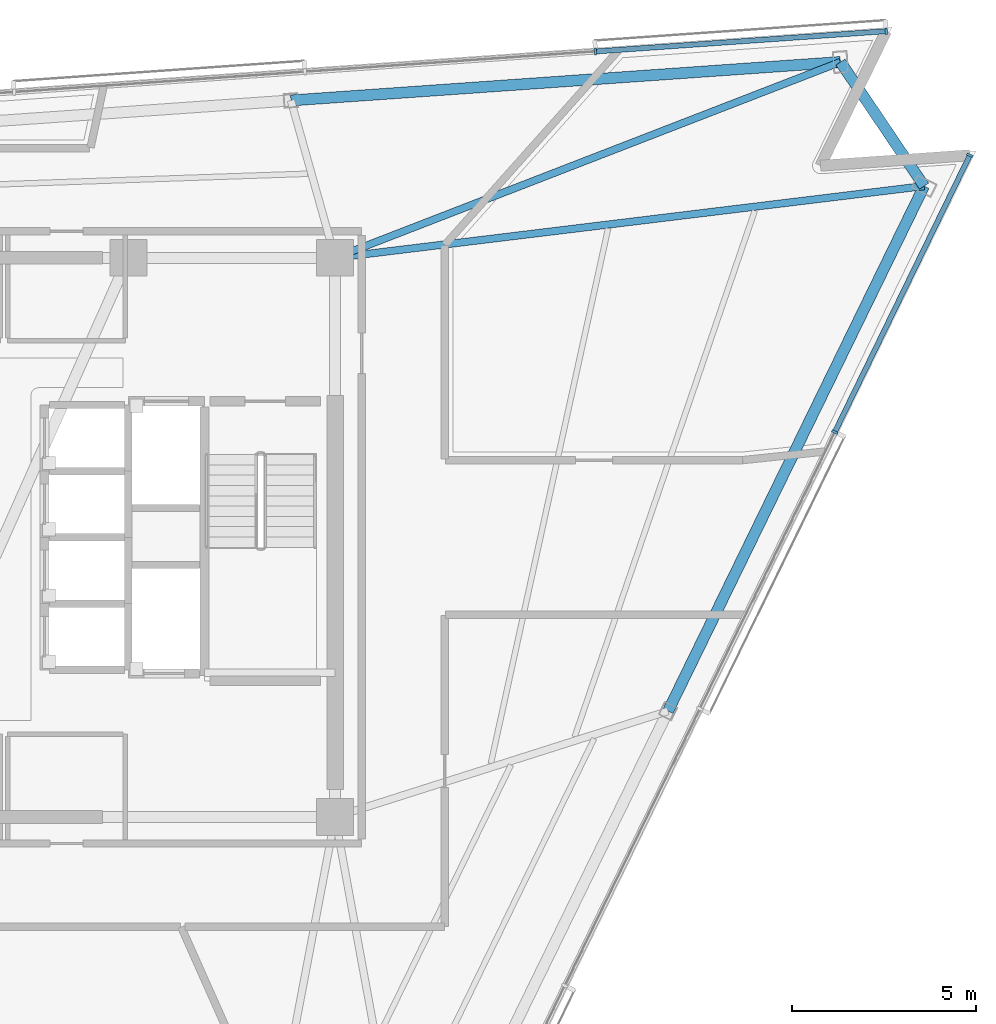
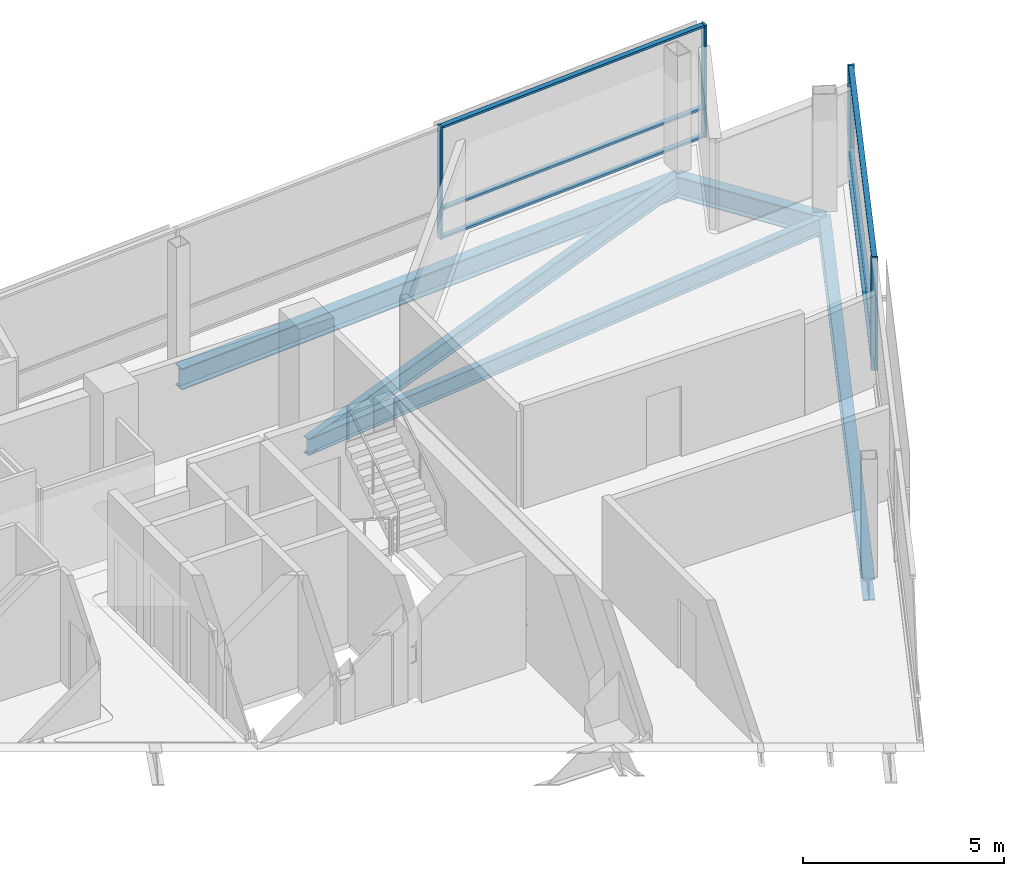
# One storey, part 7 of 16: 10 members, 5 beams, 2 elements without a shape of their own.
"""IFC4 building model written with IfcOpenShell, lengths in metres."""

import ifcopenshell
import ifcopenshell.guid

model = None  # the IFC model being written
_history = None  # IfcOwnerHistory: only IFC2X3 demands one
_inside = {}  # id of a spatial element -> (the spatial element, [elements in it])
_under = {}  # id of a project, library or spatial element -> (it, [spatial elements below it])
_declared = {}  # id of a project -> (the project, [libraries it declares])
_typed = {}  # id of a type object -> (the type object, [elements of that type])
_made_of = {}  # id of a material, layer set ... -> (it, [elements and type objects made of it])


def new_model(schema):
    """Start an empty IFC model of exactly this schema.

    Asked for "IFC4X3", IfcOpenShell would pick the latest addendum, in which some entities
    have other attributes; the version numbers below select the first issue.
    IFC2X3 requires an IfcOwnerHistory on every rooted entity: one is made here for all.
    """
    global model, _history
    if schema == "IFC4X3":
        model = ifcopenshell.file(schema_version=(4, 3, 0, 0))
    else:
        model = ifcopenshell.file(schema=schema)
    _inside.clear()
    _under.clear()
    _declared.clear()
    _typed.clear()
    _made_of.clear()
    _history = None
    if model.schema == "IFC2X3":
        org = make("IfcOrganization", Name="unknown")
        user = make(
            "IfcPersonAndOrganization",
            ThePerson=make("IfcPerson", FamilyName="unknown"),
            TheOrganization=org,
        )
        app = make(
            "IfcApplication",
            ApplicationDeveloper=org,
            Version="unknown",
            ApplicationFullName="unknown",
            ApplicationIdentifier="unknown",
        )
        _history = make(
            "IfcOwnerHistory",
            OwningUser=user,
            OwningApplication=app,
            ChangeAction="ADDED",
            CreationDate=0,
        )
    return model


def make(cls, **values):
    """One entity of the class cls with the attributes given. An attribute that is None is left unset."""
    return model.create_entity(
        cls, **{name: value for name, value in values.items() if value is not None}
    )


def rooted(cls, **values):
    """An entity with a GlobalId (a new one), such as an element, a storey or a relation."""
    return make(cls, GlobalId=ifcopenshell.guid.new(), OwnerHistory=_history, **values)


def si_unit(unit_type, name, prefix=None):
    """IfcSIUnit, for example si_unit("LENGTHUNIT", "METRE", prefix="MILLI")."""
    return make("IfcSIUnit", UnitType=unit_type, Prefix=prefix, Name=name)


def assignment(units):
    """IfcUnitAssignment: the units of a project."""
    return None if units is None else make("IfcUnitAssignment", Units=units)


def point(xyz):
    """IfcCartesianPoint."""
    return None if xyz is None else make("IfcCartesianPoint", Coordinates=xyz)


def direction(xyz):
    """IfcDirection."""
    return None if xyz is None else make("IfcDirection", DirectionRatios=xyz)


def frame(location, z_axis=None, x_axis=None):
    """IfcAxis2Placement3D, a coordinate frame: its origin and axes. An axis left out is left unset."""
    return make(
        "IfcAxis2Placement3D",
        Location=point(location),
        Axis=direction(z_axis),
        RefDirection=direction(x_axis),
    )


def frame_2d(location, x_axis=None):
    """IfcAxis2Placement2D, a coordinate frame in the plane: its origin and x axis."""
    return make(
        "IfcAxis2Placement2D", Location=point(location), RefDirection=direction(x_axis)
    )


def origin():
    """The frame at (0, 0, 0) with its axes left unset."""
    return frame((0.0, 0.0, 0.0))


def origin_2d():
    """The frame at (0, 0) in the plane with its x axis left unset."""
    return frame_2d((0.0, 0.0))


def place(relative_to, where):
    """IfcLocalPlacement: puts the frame where relative to a parent placement (None: the world)."""
    return make(
        "IfcLocalPlacement", PlacementRelTo=relative_to, RelativePlacement=where
    )


def context(
    kind, dimensions, precision=None, world=None, true_north=None, identifier=None
):
    """IfcGeometricRepresentationContext, for example the 3D "Model" context."""
    return make(
        "IfcGeometricRepresentationContext",
        ContextIdentifier=identifier,
        ContextType=kind,
        CoordinateSpaceDimension=dimensions,
        Precision=precision,
        WorldCoordinateSystem=world,
        TrueNorth=true_north,
    )


def subcontext(parent, identifier, kind, view, scale=None):
    """IfcGeometricRepresentationSubContext, for example "Body" below "Model"."""
    return make(
        "IfcGeometricRepresentationSubContext",
        ContextIdentifier=identifier,
        ContextType=kind,
        ParentContext=parent,
        TargetScale=scale,
        TargetView=view,
    )


def project(units=None, contexts=None):
    """IfcProject with its units and contexts."""
    return rooted(
        "IfcProject",
        Name="project",
        RepresentationContexts=contexts,
        UnitsInContext=assignment(units),
    )


def spatial(cls, under=None, at=None, **own):
    """A site, building, storey or space (cls), placed at a placement, below another one or the project."""
    s = rooted(cls, ObjectPlacement=at, **own)
    if under is not None:
        _under.setdefault(under.id(), (under, []))[1].append(s)
    return s


def profile(cls, at=None, kind="AREA", **sizes):
    """A parametric profile (cls). Its sizes go by their IFC names, for example OverallWidth=200.0."""
    return make(cls, ProfileType=kind, Position=at, **sizes)


def rectangle(**sizes):
    """IfcRectangleProfileDef."""
    return profile("IfcRectangleProfileDef", **sizes)


def i_section(**sizes):
    """IfcIShapeProfileDef."""
    return profile("IfcIShapeProfileDef", **sizes)


def extrude(swept, where, along, depth):
    """IfcExtrudedAreaSolid: the profile swept, set in the frame where, extruded along a direction by depth."""
    return make(
        "IfcExtrudedAreaSolid",
        SweptArea=swept,
        Position=where,
        ExtrudedDirection=direction(along),
        Depth=depth,
    )


def shape(context_of_items, identifier, shape_type, items):
    """IfcShapeRepresentation: the items that make up one representation, for example the "Body"."""
    return make(
        "IfcShapeRepresentation",
        ContextOfItems=context_of_items,
        RepresentationIdentifier=identifier,
        RepresentationType=shape_type,
        Items=items,
    )


def material(Name=None, Category=None):
    """IfcMaterial."""
    return make("IfcMaterial", Name=Name, Category=Category)


def layer(
    of_material, thickness, ventilated=None, Name=None, Category=None, Priority=None
):
    """IfcMaterialLayer: one layer of a wall or slab, of a material (None: an air gap)."""
    return make(
        "IfcMaterialLayer",
        Material=of_material,
        LayerThickness=thickness,
        IsVentilated=ventilated,
        Name=Name,
        Category=Category,
        Priority=Priority,
    )


def layer_set(layers, Name=None):
    """IfcMaterialLayerSet."""
    return make("IfcMaterialLayerSet", MaterialLayers=layers, LayerSetName=Name)


def material_profile(
    of_material, cross_section, Name=None, Category=None, Priority=None
):
    """IfcMaterialProfile: a cross section and its material."""
    return make(
        "IfcMaterialProfile",
        Name=Name,
        Material=of_material,
        Profile=cross_section,
        Priority=Priority,
        Category=Category,
    )


def profile_set(profiles, Name=None, composite=None):
    """IfcMaterialProfileSet."""
    return make(
        "IfcMaterialProfileSet",
        Name=Name,
        MaterialProfiles=profiles,
        CompositeProfile=composite,
    )


def made_of(thing, what):
    """Note that an element or type object is made of a material, layer set ...; save() writes the relation."""
    if what is not None:
        _made_of.setdefault(what.id(), (what, []))[1].append(thing)
    return thing


def type_object(cls, material=None, **own):
    """A type object (cls), such as IfcWallType, which elements share."""
    return made_of(rooted(cls, **own), material)


def element(
    cls,
    number,
    at=None,
    inside=None,
    cuts=None,
    type_object=None,
    material=None,
    context=None,
    identifier="Body",
    shape_type=None,
    held_by="IfcProductDefinitionShape",
    body=None,
    shapes=None,
    **own,
):
    """One element of the class cls, such as IfcWall. Its Tag is "e" and its number.

    at: its placement. inside: the storey or other place that contains it. cuts: it is an
    opening in that element (IfcRelVoidsElement). A single representation is given by context,
    identifier, shape_type and body (its items); several are given by shapes. held_by: the class
    of the entity that holds the representations. save() writes the other relations.
    """
    e = rooted(cls, Tag="e%d" % number, ObjectPlacement=at, **own)
    if body is not None:
        shapes = [shape(context, identifier, shape_type, body)]
    if shapes is not None:
        e.Representation = make(held_by, Representations=shapes)
    if inside is not None:
        _inside.setdefault(inside.id(), (inside, []))[1].append(e)
    if cuts is not None:
        rooted(
            "IfcRelVoidsElement", RelatingBuildingElement=cuts, RelatedOpeningElement=e
        )
    if type_object is not None:
        _typed.setdefault(type_object.id(), (type_object, []))[1].append(e)
    return made_of(e, material)


def aggregate(whole, parts):
    """IfcRelAggregates: a whole, such as a stair, and the parts it consists of."""
    return rooted("IfcRelAggregates", RelatingObject=whole, RelatedObjects=parts)


def save(model, path):
    """Write the relations noted so far, then the file.

    IfcRelAggregates (storeys below a building ...), IfcRelContainedInSpatialStructure (elements
    in a storey), IfcRelDefinesByType, IfcRelAssociatesMaterial and IfcRelDeclares: one each for
    every whole, place, type object, material and project.
    """
    for whole, parts in _under.values():
        aggregate(whole, parts)
    for where, things in _inside.values():
        rooted(
            "IfcRelContainedInSpatialStructure",
            RelatedElements=things,
            RelatingStructure=where,
        )
    for kind, things in _typed.values():
        rooted("IfcRelDefinesByType", RelatedObjects=things, RelatingType=kind)
    for what, things in _made_of.values():
        rooted("IfcRelAssociatesMaterial", RelatedObjects=things, RelatingMaterial=what)
    for by, libraries in _declared.values():
        rooted("IfcRelDeclares", RelatingContext=by, RelatedDefinitions=libraries)
    model.write(path)


model = new_model("IFC4")

# Units and contexts
model_context = context("Model", 3, precision=1e-05, world=origin(), true_north=direction((0.0, 1.0)))
body_context = subcontext(model_context, "Body", "Model", "MODEL_VIEW")
ifc_project = project(units=[si_unit("LENGTHUNIT", "METRE"), si_unit("AREAUNIT", "SQUARE_METRE"), si_unit("VOLUMEUNIT", "CUBIC_METRE"), si_unit("PLANEANGLEUNIT", "RADIAN"), si_unit("MASSUNIT", "GRAM", prefix="KILO")], contexts=[model_context])

# Site, building, storey
site_placement = place(None, origin())
site = spatial("IfcSite", under=ifc_project, at=site_placement, CompositionType="ELEMENT")
building_placement = place(site_placement, origin())
building = spatial("IfcBuilding", under=site, at=building_placement, Name="Tharavind Bronze Gate", CompositionType="ELEMENT")
storey_placement = place(building_placement, frame((0.0, 0.0, 271.39990234375)))
storey = spatial("IfcBuildingStorey", under=building, at=storey_placement, Name="L70", CompositionType="ELEMENT", Elevation=271.39990234375)

# Curtain wall, members
ifc_material_1 = material(Name="Anodised Bronze Aluminium", Category="aluminium")
ifc_layer = layer(ifc_material_1, 0.219970703125)
ifc_layer_set = layer_set([ifc_layer], Name="Anodised Bronze Aluminium")
curtain_wall_type = type_object("IfcCurtainWallType", Name="UNITISED CURTAIN WALL UPPER OFFICE", PredefinedType="USERDEFINED", material=ifc_layer_set)
curtain_wall_1_placement = place(storey_placement, origin())
curtain_wall_1 = element("IfcCurtainWall", 1, at=curtain_wall_1_placement, inside=storey, type_object=curtain_wall_type, Name="L70 unitised curtain wall upper office CW-L70-S2", ObjectType="UNITISED CURTAIN WALL", PredefinedType="USERDEFINED")
member_type_1 = type_object("IfcMemberType", Name="CURTAIN WALL BRONZE MULLION 65X180", PredefinedType="MULLION", material=ifc_material_1)
member_1_placement = place(storey_placement, frame((22.485107421875, 2.863525390625, 0.000244140625), z_axis=(0.0, 0.0, 1.0), x_axis=(0.43837271548, 0.898793281196, 0.0)))
member_1 = element("IfcMember", 2, at=member_1_placement, type_object=member_type_1, Name="CW-L70-S2 mullion 6", PredefinedType="MULLION", context=body_context, shape_type="SweptSolid", body=[
    extrude(rectangle(XDim=0.06494140625, YDim=0.179931640625, at=origin_2d()), origin(), (0.0, 0.0, 1.0), 3.419921875),
])
member_2_placement = place(storey_placement, frame((26.1552734375, 10.388427734375, 0.000244140625), z_axis=(0.0, 0.0, 1.0), x_axis=(0.43837271548, 0.898793281196, 0.0)))
member_2 = element("IfcMember", 3, at=member_2_placement, type_object=member_type_1, Name="CW-L70-S2 mullion 7", PredefinedType="MULLION", context=body_context, shape_type="SweptSolid", body=[
    extrude(rectangle(XDim=0.06494140625, YDim=0.179931640625, at=origin_2d()), origin(), (0.0, 0.0, 1.0), 3.419921875),
])

curtain_wall_2_placement = place(storey_placement, origin())
curtain_wall_2 = element("IfcCurtainWall", 4, at=curtain_wall_2_placement, inside=storey, type_object=curtain_wall_type, Name="L70 unitised curtain wall upper office CW-L70-S3", ObjectType="UNITISED CURTAIN WALL", PredefinedType="USERDEFINED")
member_3_placement = place(storey_placement, frame((23.880615234375, 13.760986328125, 0.000244140625), z_axis=(0.0, 0.0, 1.0), x_axis=(-0.997563806758, -0.069759955899, 0.0)))
member_3 = element("IfcMember", 5, at=member_3_placement, type_object=member_type_1, Name="CW-L70-S3 mullion 1", PredefinedType="MULLION", context=body_context, shape_type="SweptSolid", body=[
    extrude(rectangle(XDim=0.06494140625, YDim=0.179931640625, at=origin_2d()), origin(), (0.0, 0.0, 1.0), 3.419921875),
])
member_4_placement = place(storey_placement, frame((15.9794921875, 13.20849609375, 0.000244140625), z_axis=(0.0, 0.0, 1.0), x_axis=(-0.997563806758, -0.069759955899, 0.0)))
member_4 = element("IfcMember", 6, at=member_4_placement, type_object=member_type_1, Name="CW-L70-S3 mullion 2", PredefinedType="MULLION", context=body_context, shape_type="SweptSolid", body=[
    extrude(rectangle(XDim=0.06494140625, YDim=0.179931640625, at=origin_2d()), origin(), (0.0, 0.0, 1.0), 3.419921875),
])

# Member
member_type_2 = type_object("IfcMemberType", Name="CURTAIN WALL BRONZE TRANSOM 65X140", PredefinedType="USERDEFINED", material=ifc_material_1)
member_5_placement = place(storey_placement, frame((24.3203125, 6.6259765625, 0.000244140625), z_axis=(0.0, 0.0, 1.0), x_axis=(0.43837271548, 0.898793281196, 0.0)))
member_5 = element("IfcMember", 7, at=member_5_placement, type_object=member_type_2, Name="CW-L70-S2 transom TB6", ObjectType="TRANSOM", PredefinedType="USERDEFINED", context=body_context, shape_type="SweptSolid", body=[
    extrude(rectangle(XDim=8.3193359375, YDim=0.139892578125, at=origin_2d()), origin(), (0.0, 0.0, 1.0), 0.06494140625),
])

member_6_placement = place(storey_placement, frame((24.3203125, 6.6259765625, 0.86767578125), z_axis=(0.0, 0.0, 1.0), x_axis=(0.43837271548, 0.898793281196, 0.0)))
member_6 = element("IfcMember", 8, at=member_6_placement, type_object=member_type_2, Name="CW-L70-S2 transom TS6", ObjectType="TRANSOM", PredefinedType="USERDEFINED", context=body_context, shape_type="SweptSolid", body=[
    extrude(rectangle(XDim=8.3193359375, YDim=0.139892578125, at=origin_2d()), origin(), (0.0, 0.0, 1.0), 0.06494140625),
])

member_7_placement = place(storey_placement, frame((24.3203125, 6.6259765625, 3.355224609375), z_axis=(0.0, 0.0, 1.0), x_axis=(0.43837271548, 0.898793281196, 0.0)))
member_7 = element("IfcMember", 9, at=member_7_placement, type_object=member_type_2, Name="CW-L70-S2 transom TT6", ObjectType="TRANSOM", PredefinedType="USERDEFINED", context=body_context, shape_type="SweptSolid", body=[
    extrude(rectangle(XDim=8.3193359375, YDim=0.139892578125, at=origin_2d()), origin(), (0.0, 0.0, 1.0), 0.06494140625),
])

aggregate(curtain_wall_1, [member_1, member_2, member_5, member_6, member_7])

member_8_placement = place(storey_placement, frame((19.929931640625, 13.48486328125, 0.000244140625), z_axis=(0.0, 0.0, 1.0), x_axis=(-0.997563806758, -0.069759955899, 0.0)))
member_8 = element("IfcMember", 10, at=member_8_placement, type_object=member_type_2, Name="CW-L70-S3 transom TB1", ObjectType="TRANSOM", PredefinedType="USERDEFINED", context=body_context, shape_type="SweptSolid", body=[
    extrude(rectangle(XDim=7.8671875, YDim=0.139892578125, at=origin_2d()), origin(), (0.0, 0.0, 1.0), 0.06494140625),
])

member_9_placement = place(storey_placement, frame((19.929931640625, 13.48486328125, 0.86767578125), z_axis=(0.0, 0.0, 1.0), x_axis=(-0.997563806758, -0.069759955899, 0.0)))
member_9 = element("IfcMember", 11, at=member_9_placement, type_object=member_type_2, Name="CW-L70-S3 transom TS1", ObjectType="TRANSOM", PredefinedType="USERDEFINED", context=body_context, shape_type="SweptSolid", body=[
    extrude(rectangle(XDim=7.8671875, YDim=0.139892578125, at=origin_2d()), origin(), (0.0, 0.0, 1.0), 0.06494140625),
])

member_10_placement = place(storey_placement, frame((19.929931640625, 13.48486328125, 3.355224609375), z_axis=(0.0, 0.0, 1.0), x_axis=(-0.997563806758, -0.069759955899, 0.0)))
member_10 = element("IfcMember", 12, at=member_10_placement, type_object=member_type_2, Name="CW-L70-S3 transom TT1", ObjectType="TRANSOM", PredefinedType="USERDEFINED", context=body_context, shape_type="SweptSolid", body=[
    extrude(rectangle(XDim=7.8671875, YDim=0.139892578125, at=origin_2d()), origin(), (0.0, 0.0, 1.0), 0.06494140625),
])

aggregate(curtain_wall_2, [member_3, member_4, member_8, member_9, member_10])

# Beams
ifc_material_2 = material(Name="Steel S355", Category="steel")
ifc_material_profile_1 = material_profile(ifc_material_2, i_section(OverallWidth=0.300048828125, OverallDepth=0.64990234375, WebThickness=0.01611328125, FlangeThickness=0.031005859375, at=origin_2d()), Name="HE650B")
ifc_profile_set_1 = profile_set([ifc_material_profile_1], Name="Steel S355")
beam_type_1 = type_object("IfcBeamType", Name="PRIMARY GIRDER HE650B", PredefinedType="USERDEFINED", material=ifc_profile_set_1)
beam_1_placement = place(storey_placement, frame((17.950927734375, -4.721923828125, -0.5048828125), z_axis=(0.438366378116, 0.898796372121, 0.0), x_axis=(-0.898796372121, 0.438366378116, 0.0)))
element("IfcBeam", 13, at=beam_1_placement, inside=storey, type_object=beam_type_1, Name="L70 primary girder he650b BM-L70-PRG07", ObjectType="GIRDER", PredefinedType="USERDEFINED", context=body_context, shape_type="SweptSolid", body=[
    extrude(i_section(OverallWidth=0.300048828125, OverallDepth=0.64990234375, WebThickness=0.01611328125, FlangeThickness=0.031005859375, at=origin_2d()), origin(), (0.0, 0.0, 1.0), 15.878662109375),
])
beam_2_placement = place(storey_placement, frame((24.91162109375, 9.5498046875, -0.5048828125), z_axis=(-0.559165651986, 0.829055953262, 0.0), x_axis=(-0.829055953262, -0.559165651986, 0.0)))
element("IfcBeam", 14, at=beam_2_placement, inside=storey, type_object=beam_type_1, Name="L70 primary girder he650b BM-L70-PRG08", ObjectType="GIRDER", PredefinedType="USERDEFINED", context=body_context, shape_type="SweptSolid", body=[
    extrude(i_section(OverallWidth=0.300048828125, OverallDepth=0.64990234375, WebThickness=0.01611328125, FlangeThickness=0.031005859375, at=origin_2d()), origin(), (0.0, 0.0, 1.0), 4.06787109375),
])
beam_3_placement = place(storey_placement, frame((22.636962890625, 12.92236328125, -0.5048828125), z_axis=(-0.997563609873, -0.069762771286, 0.0), x_axis=(0.069762771286, -0.997563609873, 0.0)))
element("IfcBeam", 15, at=beam_3_placement, inside=storey, type_object=beam_type_1, Name="L70 primary girder he650b BM-L70-PRG09", ObjectType="GIRDER", PredefinedType="USERDEFINED", context=body_context, shape_type="SweptSolid", body=[
    extrude(i_section(OverallWidth=0.300048828125, OverallDepth=0.64990234375, WebThickness=0.01611328125, FlangeThickness=0.031005859375, at=origin_2d()), origin(), (0.0, 0.0, 1.0), 14.974609375),
])
ifc_material_profile_2 = material_profile(ifc_material_2, i_section(OverallWidth=0.199951171875, OverallDepth=0.5, WebThickness=0.01025390625, FlangeThickness=0.01611328125, at=origin_2d()), Name="IPE500")
ifc_profile_set_2 = profile_set([ifc_material_profile_2], Name="Steel S355")
beam_type_2 = type_object("IfcBeamType", Name="PRIMARY GIRDER IPE500", PredefinedType="USERDEFINED", material=ifc_profile_set_2)
beam_4_placement = place(storey_placement, frame((24.91162109375, 9.5498046875, -0.429931640625), z_axis=(-0.992667775401, -0.120874677579, 0.0), x_axis=(0.120874677579, -0.992667775401, 0.0)))
element("IfcBeam", 16, at=beam_4_placement, inside=storey, type_object=beam_type_2, Name="L70 primary girder ipe500 BM-L70-RAD08", ObjectType="GIRDER", PredefinedType="USERDEFINED", context=body_context, shape_type="SweptSolid", body=[
    extrude(i_section(OverallWidth=0.199951171875, OverallDepth=0.5, WebThickness=0.01025390625, FlangeThickness=0.01611328125, at=origin_2d()), origin(), (0.0, 0.0, 1.0), 16.1298828125),
])
beam_5_placement = place(storey_placement, frame((22.636962890625, 12.92236328125, -0.429931640625), z_axis=(-0.932460796057, -0.361271177672, 0.0), x_axis=(0.361271177672, -0.932460796057, 0.0)))
element("IfcBeam", 17, at=beam_5_placement, inside=storey, type_object=beam_type_2, Name="L70 primary girder ipe500 BM-L70-RAD09", ObjectType="GIRDER", PredefinedType="USERDEFINED", context=body_context, shape_type="SweptSolid", body=[
    extrude(i_section(OverallWidth=0.199951171875, OverallDepth=0.5, WebThickness=0.01025390625, FlangeThickness=0.01611328125, at=origin_2d()), origin(), (0.0, 0.0, 1.0), 14.73193359375),
])

save(model, "model.ifc")
